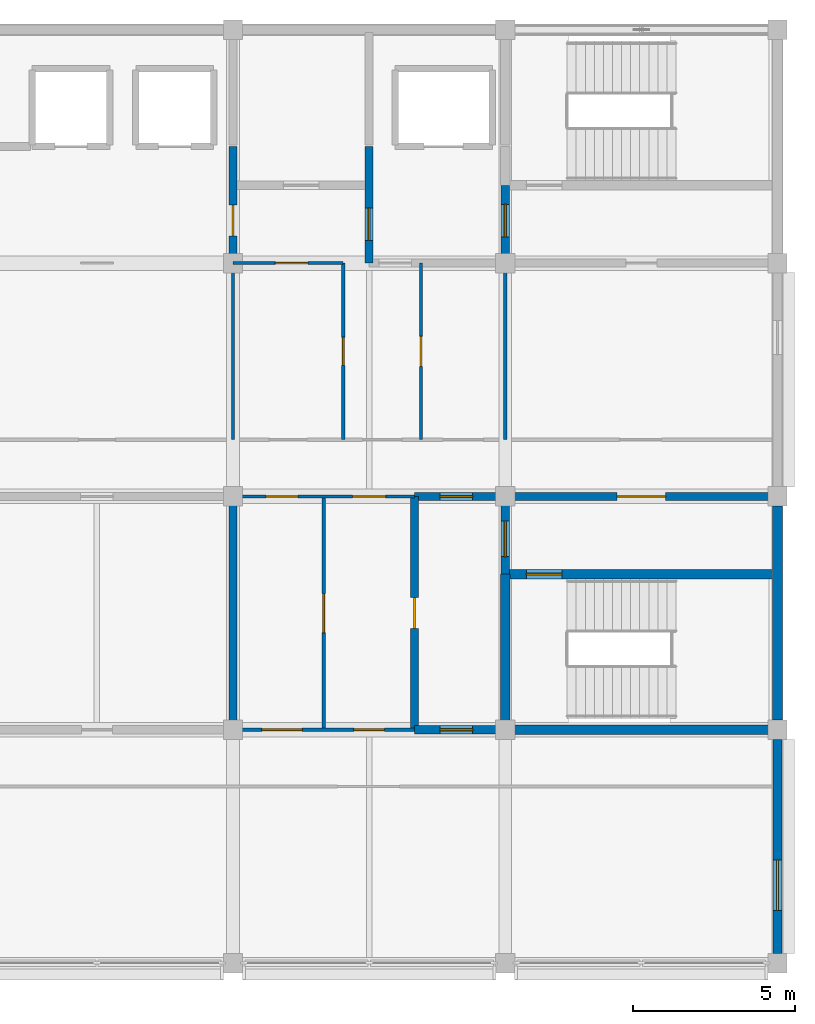
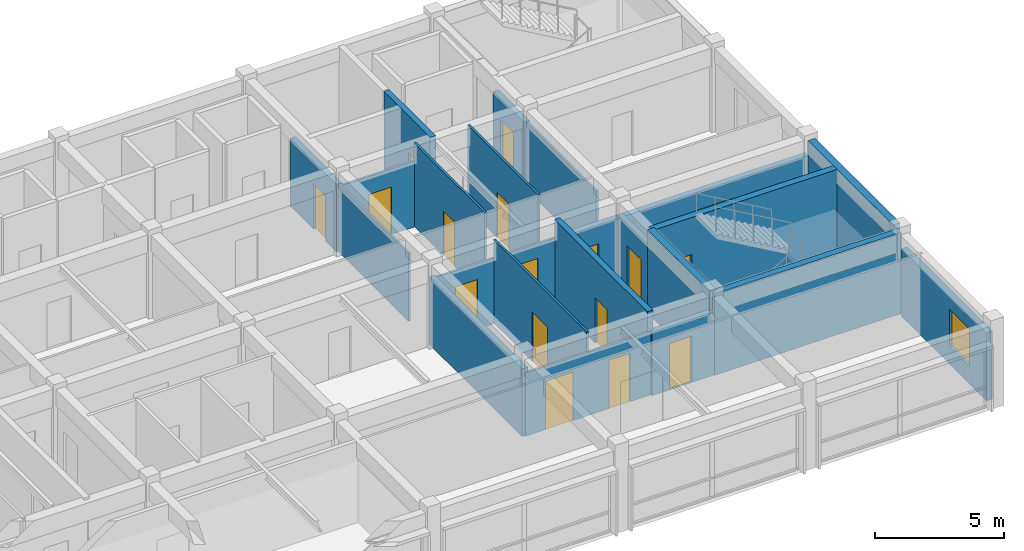
# One storey, part 11 of 13: 21 walls, 17 doors, 1 window, 18 openings.
"""IFC4 building model written with IfcOpenShell, lengths in metres."""

from ifc_helpers import new_model, si_unit, direction, frame, frame_2d, origin, place, context, subcontext, project, spatial, rectangle, extrude, material, layer, layer_set, type_object, element, fill, save


model = new_model("IFC4")

# Units and contexts
model_context = context("Model", 3, precision=1e-05, world=origin(), true_north=direction((0.0, 1.0)))
body_context = subcontext(model_context, "Body", "Model", "MODEL_VIEW")
ifc_project = project(units=[si_unit("LENGTHUNIT", "METRE"), si_unit("AREAUNIT", "SQUARE_METRE"), si_unit("VOLUMEUNIT", "CUBIC_METRE"), si_unit("PLANEANGLEUNIT", "RADIAN"), si_unit("MASSUNIT", "GRAM", prefix="KILO")], contexts=[model_context])

# Site, building, storey
site_placement = place(None, origin())
site = spatial("IfcSite", under=ifc_project, at=site_placement, CompositionType="ELEMENT")
building_placement = place(site_placement, origin())
building = spatial("IfcBuilding", under=site, at=building_placement, Name="Chengyuan Square Courthouse", CompositionType="ELEMENT")
storey_placement = place(building_placement, frame((0.0, 0.0, 64.5)))
storey = spatial("IfcBuildingStorey", under=building, at=storey_placement, Name="L15", CompositionType="ELEMENT", Elevation=64.5)

# Wall, opening, window
ifc_material_1 = material(Name="Concrete C40", Category="concrete")
ifc_layer_1 = layer(ifc_material_1, 0.280029296875)
ifc_layer_set_1 = layer_set([ifc_layer_1], Name="Concrete C40")
wall_type_1 = type_object("IfcWallType", Name="WL-EW4", PredefinedType="STANDARD", material=ifc_layer_set_1)
wall_1_placement = place(storey_placement, frame((109.199951171875, 79.4951171875, 0.0), z_axis=(0.0, 0.0, 1.0), x_axis=(0.0, 1.0, 0.0)))
wall_1 = element("IfcWall", 1, at=wall_1_placement, inside=storey, type_object=wall_type_1, Name="Exterior Wall WL-L15-E531", PredefinedType="STANDARD", context=body_context, shape_type="SweptSolid", body=[
    extrude(rectangle(XDim=6.60986328125, YDim=0.280029296875, at=frame_2d((3.304931640625, 0.0))), origin(), (0.0, 0.0, 1.0), 3.199951171875),
])
opening_1_placement = place(wall_1_placement, frame((1.330078125, 0.0, 0.85009765625)))
opening_1 = element("IfcOpeningElement", 2, at=opening_1_placement, cuts=wall_1, Name="Opening WN-244", PredefinedType="OPENING", context=body_context, shape_type="SweptSolid", body=[
    extrude(rectangle(XDim=1.550048828125, YDim=1.739990234375, at=frame_2d((0.77490234375, 0.8701171875))), frame((0.0, 0.152099609375, 0.0), z_axis=(0.0, -1.0, 0.0), x_axis=(1.0, 0.0, 0.0)), (0.0, 0.0, 1.0), 0.303955078125),
])
ifc_material_2 = material(Name="Thermally Broken Aluminium Triple Low-E Window", Category="aluminium")
window_type = type_object("IfcWindowType", Name="WT-28", PartitioningType="SINGLE_PANEL", PredefinedType="WINDOW", material=ifc_material_2)
window_placement = place(opening_1_placement, origin())
window = element("IfcWindow", 3, at=window_placement, inside=storey, type_object=window_type, Name="Facade Window WN-244", OverallHeight=1.739990234375, OverallWidth=1.550048828125, PartitioningType="SINGLE_PANEL", PredefinedType="WINDOW", context=body_context, shape_type="SweptSolid", body=[
    extrude(rectangle(XDim=1.550048828125, YDim=1.739990234375, at=frame_2d((0.77490234375, 0.8701171875))), frame((0.0, 0.030029296875, 0.0), z_axis=(0.0, -1.0, 0.0), x_axis=(1.0, 0.0, 0.0)), (0.0, 0.0, 1.0), 0.06005859375),
])
fill(opening_1, window)

# Wall, opening, door
ifc_layer_2 = layer(ifc_material_1, 0.25)
ifc_layer_set_2 = layer_set([ifc_layer_2], Name="Concrete C40")
wall_type_2 = type_object("IfcWallType", Name="WL-FW1", PredefinedType="STANDARD", material=ifc_layer_set_2)
wall_2_placement = place(storey_placement, frame((98.0, 86.39990234375, 0.0), z_axis=(0.0, 0.0, 1.0), x_axis=(1.0, 0.0, 0.0)))
wall_2 = element("IfcWall", 4, at=wall_2_placement, inside=storey, type_object=wall_type_2, Name="Interior Wall WL-L15-I4001", PredefinedType="STANDARD", context=body_context, shape_type="SweptSolid", body=[
    extrude(rectangle(XDim=2.800048828125, YDim=0.25, at=frame_2d((1.39990234375, 0.0))), origin(), (0.0, 0.0, 1.0), 3.0),
])
opening_2_placement = place(wall_2_placement, frame((0.7900390625, 0.0, 0.0)))
opening_2 = element("IfcOpeningElement", 5, at=opening_2_placement, cuts=wall_2, Name="Opening DR-3364", PredefinedType="OPENING", context=body_context, shape_type="SweptSolid", body=[
    extrude(rectangle(XDim=1.0, YDim=2.199951171875, at=frame_2d((0.5, 1.10009765625))), frame((0.0, 0.136962890625, 0.0), z_axis=(0.0, -1.0, 0.0), x_axis=(1.0, 0.0, 0.0)), (0.0, 0.0, 1.0), 0.27392578125),
])
ifc_material_3 = material(Name="Steel Q235B Fire Door", Category="steel")
door_type_1 = type_object("IfcDoorType", Name="DT-11", OperationType="NOTDEFINED", PredefinedType="DOOR", material=ifc_material_3)
door_1_placement = place(opening_2_placement, origin())
door_1 = element("IfcDoor", 6, at=door_1_placement, inside=storey, type_object=door_type_1, Name="Interior Door DR-3364", OperationType="SINGLE_SWING_LEFT", OverallHeight=2.199951171875, OverallWidth=1.0, PredefinedType="DOOR", context=body_context, shape_type="SweptSolid", body=[
    extrude(rectangle(XDim=1.0, YDim=2.199951171875, at=frame_2d((0.5, 1.10009765625))), frame((0.0, 0.02490234375, 0.0), z_axis=(0.0, -1.0, 0.0), x_axis=(1.0, 0.0, 0.0)), (0.0, 0.0, 1.0), 0.050048828125),
])
fill(opening_2, door_1)

# Wall, openings, doors
wall_3_placement = place(storey_placement, frame((98.0, 93.60009765625, 0.0), z_axis=(0.0, 0.0, 1.0), x_axis=(1.0, 0.0, 0.0)))
wall_3 = element("IfcWall", 7, at=wall_3_placement, inside=storey, type_object=wall_type_2, Name="Interior Wall WL-L15-I4012", PredefinedType="STANDARD", context=body_context, shape_type="SweptSolid", body=[
    extrude(rectangle(XDim=11.159912109375, YDim=0.25, at=frame_2d((5.580078125, 0.0))), origin(), (0.0, 0.0, 1.0), 3.10009765625),
])
opening_3_placement = place(wall_3_placement, frame((6.25, 0.0, 0.0)))
opening_3 = element("IfcOpeningElement", 8, at=opening_3_placement, cuts=wall_3, Name="Opening DR-3311", PredefinedType="OPENING", context=body_context, shape_type="SweptSolid", body=[
    extrude(rectangle(XDim=1.5, YDim=2.25, at=frame_2d((0.75, 1.125))), frame((0.0, 0.136962890625, 0.0), z_axis=(0.0, -1.0, 0.0), x_axis=(1.0, 0.0, 0.0)), (0.0, 0.0, 1.0), 0.27392578125),
])
opening_4_placement = place(wall_3_placement, frame((0.7900390625, 0.0, 0.0)))
opening_4 = element("IfcOpeningElement", 9, at=opening_4_placement, cuts=wall_3, Name="Opening DR-3349", PredefinedType="OPENING", context=body_context, shape_type="SweptSolid", body=[
    extrude(rectangle(XDim=1.0, YDim=2.199951171875, at=frame_2d((0.5, 1.10009765625))), frame((0.0, 0.136962890625, 0.0), z_axis=(0.0, -1.0, 0.0), x_axis=(1.0, 0.0, 0.0)), (0.0, 0.0, 1.0), 0.27392578125),
])
door_2_placement = place(opening_4_placement, origin())
door_2 = element("IfcDoor", 10, at=door_2_placement, inside=storey, type_object=door_type_1, Name="Interior Door DR-3349", OperationType="SINGLE_SWING_RIGHT", OverallHeight=2.199951171875, OverallWidth=1.0, PredefinedType="DOOR", context=body_context, shape_type="SweptSolid", body=[
    extrude(rectangle(XDim=1.0, YDim=2.199951171875, at=frame_2d((0.5, 1.10009765625))), frame((0.0, 0.02490234375, 0.0), z_axis=(0.0, -1.0, 0.0), x_axis=(1.0, 0.0, 0.0)), (0.0, 0.0, 1.0), 0.050048828125),
])
fill(opening_4, door_2)
ifc_material_4 = material(Name="Steel Q235B Glazed Fire Door", Category="steel")
door_type_2 = type_object("IfcDoorType", Name="DT-19", OperationType="DOUBLE_DOOR_SINGLE_SWING", PredefinedType="DOOR", material=ifc_material_4)
door_3_placement = place(opening_3_placement, frame((1.5, 0.0, 0.0), z_axis=(0.0, 0.0, 1.0), x_axis=(-1.0, 0.0, 0.0)))
door_3 = element("IfcDoor", 11, at=door_3_placement, inside=storey, type_object=door_type_2, Name="Interior Door DR-3311", OperationType="DOUBLE_DOOR_SINGLE_SWING", OverallHeight=2.25, OverallWidth=1.5, PredefinedType="DOOR", context=body_context, shape_type="SweptSolid", body=[
    extrude(rectangle(XDim=1.5, YDim=2.25, at=frame_2d((0.75, 1.125))), frame((0.0, 0.02490234375, 0.0), z_axis=(0.0, -1.0, 0.0), x_axis=(1.0, 0.0, 0.0)), (0.0, 0.0, 1.0), 0.050048828125),
])
fill(opening_3, door_3)

# Wall
wall_4_placement = place(storey_placement, frame((92.39990234375, 86.39990234375, 0.0), z_axis=(0.0, 0.0, 1.0), x_axis=(0.0, 1.0, 0.0)))
element("IfcWall", 12, at=wall_4_placement, inside=storey, type_object=wall_type_2, Name="Interior Wall WL-L15-I4067", PredefinedType="STANDARD", context=body_context, shape_type="SweptSolid", body=[
    extrude(rectangle(XDim=7.2001953125, YDim=0.25, at=frame_2d((3.60009765625, 0.0))), origin(), (0.0, 0.0, 1.0), 3.199951171875),
])

# Wall, opening, door
wall_5_placement = place(storey_placement, frame((92.39990234375, 100.800048828125, 0.0), z_axis=(0.0, 0.0, 1.0), x_axis=(0.0, 1.0, 0.0)))
wall_5 = element("IfcWall", 13, at=wall_5_placement, inside=storey, type_object=wall_type_2, Name="Interior Wall WL-L15-I4069", PredefinedType="STANDARD", context=body_context, shape_type="SweptSolid", body=[
    extrude(rectangle(XDim=3.599853515625, YDim=0.25, at=frame_2d((1.7998046875, 0.0))), origin(), (0.0, 0.0, 1.0), 3.199951171875),
])
opening_5_placement = place(wall_5_placement, frame((0.8349609375, 0.0, 0.0)))
opening_5 = element("IfcOpeningElement", 14, at=opening_5_placement, cuts=wall_5, Name="Opening DR-3320", PredefinedType="OPENING", context=body_context, shape_type="SweptSolid", body=[
    extrude(rectangle(XDim=0.949951171875, YDim=2.14990234375, at=frame_2d((0.47509765625, 1.074951171875))), frame((0.0, 0.136962890625, 0.0), z_axis=(0.0, -1.0, 0.0), x_axis=(1.0, 0.0, 0.0)), (0.0, 0.0, 1.0), 0.27392578125),
])
door_type_3 = type_object("IfcDoorType", Name="DT-12", OperationType="NOTDEFINED", PredefinedType="DOOR", material=ifc_material_3)
door_4_placement = place(opening_5_placement, origin())
door_4 = element("IfcDoor", 15, at=door_4_placement, inside=storey, type_object=door_type_3, Name="Interior Door DR-3320", OperationType="SINGLE_SWING_LEFT", OverallHeight=2.14990234375, OverallWidth=0.949951171875, PredefinedType="DOOR", context=body_context, shape_type="SweptSolid", body=[
    extrude(rectangle(XDim=0.949951171875, YDim=2.14990234375, at=frame_2d((0.47509765625, 1.074951171875))), frame((0.0, 0.02490234375, 0.0), z_axis=(0.0, -1.0, 0.0), x_axis=(1.0, 0.0, 0.0)), (0.0, 0.0, 1.0), 0.050048828125),
])
fill(opening_5, door_4)

wall_6_placement = place(storey_placement, frame((96.60009765625, 100.800048828125, 0.0), z_axis=(0.0, 0.0, 1.0), x_axis=(0.0, 1.0, 0.0)))
wall_6 = element("IfcWall", 16, at=wall_6_placement, inside=storey, type_object=wall_type_2, Name="Interior Wall WL-L15-I4073", PredefinedType="STANDARD", context=body_context, shape_type="SweptSolid", body=[
    extrude(rectangle(XDim=3.599853515625, YDim=0.25, at=frame_2d((1.7998046875, 0.0))), origin(), (0.0, 0.0, 1.0), 3.949951171875),
])
opening_6_placement = place(wall_6_placement, frame((0.699951171875, 0.0, 0.0)))
opening_6 = element("IfcOpeningElement", 17, at=opening_6_placement, cuts=wall_6, Name="Opening DR-3319", PredefinedType="OPENING", context=body_context, shape_type="SweptSolid", body=[
    extrude(rectangle(XDim=1.0, YDim=2.199951171875, at=frame_2d((0.5, 1.10009765625))), frame((0.0, 0.136962890625, 0.0), z_axis=(0.0, -1.0, 0.0), x_axis=(1.0, 0.0, 0.0)), (0.0, 0.0, 1.0), 0.27392578125),
])
door_5_placement = place(opening_6_placement, origin())
door_5 = element("IfcDoor", 18, at=door_5_placement, inside=storey, type_object=door_type_1, Name="Interior Door DR-3319", OperationType="SINGLE_SWING_RIGHT", OverallHeight=2.199951171875, OverallWidth=1.0, PredefinedType="DOOR", context=body_context, shape_type="SweptSolid", body=[
    extrude(rectangle(XDim=1.0, YDim=2.199951171875, at=frame_2d((0.5, 1.10009765625))), frame((0.0, 0.02490234375, 0.0), z_axis=(0.0, -1.0, 0.0), x_axis=(1.0, 0.0, 0.0)), (0.0, 0.0, 1.0), 0.050048828125),
])
fill(opening_6, door_5)

wall_7_placement = place(storey_placement, frame((98.0, 86.39990234375, 0.0), z_axis=(0.0, 0.0, 1.0), x_axis=(0.0, 1.0, 0.0)))
wall_7 = element("IfcWall", 19, at=wall_7_placement, inside=storey, type_object=wall_type_2, Name="Interior Wall WL-L15-I4076", PredefinedType="STANDARD", context=body_context, shape_type="SweptSolid", body=[
    extrude(rectangle(XDim=7.2001953125, YDim=0.25, at=frame_2d((3.60009765625, 0.0))), origin(), (0.0, 0.0, 1.0), 3.949951171875),
])
opening_7_placement = place(wall_7_placement, frame((3.125, 0.0, 0.0)))
opening_7 = element("IfcOpeningElement", 20, at=opening_7_placement, cuts=wall_7, Name="Opening DR-3362", PredefinedType="OPENING", context=body_context, shape_type="SweptSolid", body=[
    extrude(rectangle(XDim=0.949951171875, YDim=2.14990234375, at=frame_2d((0.47509765625, 1.074951171875))), frame((0.0, 0.136962890625, 0.0), z_axis=(0.0, -1.0, 0.0), x_axis=(1.0, 0.0, 0.0)), (0.0, 0.0, 1.0), 0.27392578125),
])
door_6_placement = place(opening_7_placement, origin())
door_6 = element("IfcDoor", 21, at=door_6_placement, inside=storey, type_object=door_type_3, Name="Interior Door DR-3362", OperationType="SINGLE_SWING_LEFT", OverallHeight=2.14990234375, OverallWidth=0.949951171875, PredefinedType="DOOR", context=body_context, shape_type="SweptSolid", body=[
    extrude(rectangle(XDim=0.949951171875, YDim=2.14990234375, at=frame_2d((0.47509765625, 1.074951171875))), frame((0.0, 0.02490234375, 0.0), z_axis=(0.0, -1.0, 0.0), x_axis=(1.0, 0.0, 0.0)), (0.0, 0.0, 1.0), 0.050048828125),
])
fill(opening_7, door_6)

wall_8_placement = place(storey_placement, frame((100.800048828125, 91.199951171875, 0.0), z_axis=(0.0, 0.0, 1.0), x_axis=(0.0, 1.0, 0.0)))
wall_8 = element("IfcWall", 22, at=wall_8_placement, inside=storey, type_object=wall_type_2, Name="Interior Wall WL-L15-I4080", PredefinedType="STANDARD", context=body_context, shape_type="SweptSolid", body=[
    extrude(rectangle(XDim=2.400146484375, YDim=0.25, at=frame_2d((1.2001953125, 0.0))), origin(), (0.0, 0.0, 1.0), 3.199951171875),
])
opening_8_placement = place(wall_8_placement, frame((0.5400390625, 0.0, 0.0)))
opening_8 = element("IfcOpeningElement", 23, at=opening_8_placement, cuts=wall_8, Name="Opening DR-3312", PredefinedType="OPENING", context=body_context, shape_type="SweptSolid", body=[
    extrude(rectangle(XDim=1.10009765625, YDim=2.199951171875, at=frame_2d((0.550048828125, 1.10009765625))), frame((0.0, 0.136962890625, 0.0), z_axis=(0.0, -1.0, 0.0), x_axis=(1.0, 0.0, 0.0)), (0.0, 0.0, 1.0), 0.27392578125),
])
door_type_4 = type_object("IfcDoorType", Name="DT-10", OperationType="NOTDEFINED", PredefinedType="DOOR", material=ifc_material_3)
door_7_placement = place(opening_8_placement, origin())
door_7 = element("IfcDoor", 24, at=door_7_placement, inside=storey, type_object=door_type_4, Name="Interior Door DR-3312", OperationType="SINGLE_SWING_LEFT", OverallHeight=2.199951171875, OverallWidth=1.10009765625, PredefinedType="DOOR", context=body_context, shape_type="SweptSolid", body=[
    extrude(rectangle(XDim=1.10009765625, YDim=2.199951171875, at=frame_2d((0.550048828125, 1.10009765625))), frame((0.0, 0.02490234375, 0.0), z_axis=(0.0, -1.0, 0.0), x_axis=(1.0, 0.0, 0.0)), (0.0, 0.0, 1.0), 0.050048828125),
])
fill(opening_8, door_7)

wall_9_placement = place(storey_placement, frame((100.800048828125, 100.800048828125, 0.0), z_axis=(0.0, 0.0, 1.0), x_axis=(0.0, 1.0, 0.0)))
wall_9 = element("IfcWall", 25, at=wall_9_placement, inside=storey, type_object=wall_type_2, Name="Interior Wall WL-L15-I4082", PredefinedType="STANDARD", context=body_context, shape_type="SweptSolid", body=[
    extrude(rectangle(XDim=2.39990234375, YDim=0.25, at=frame_2d((1.199951171875, 0.0))), origin(), (0.0, 0.0, 1.0), 3.199951171875),
])
opening_9_placement = place(wall_9_placement, frame((0.81005859375, 0.0, 0.0)))
opening_9 = element("IfcOpeningElement", 26, at=opening_9_placement, cuts=wall_9, Name="Opening DR-3307", PredefinedType="OPENING", context=body_context, shape_type="SweptSolid", body=[
    extrude(rectangle(XDim=1.0, YDim=2.199951171875, at=frame_2d((0.5, 1.10009765625))), frame((0.0, 0.136962890625, 0.0), z_axis=(0.0, -1.0, 0.0), x_axis=(1.0, 0.0, 0.0)), (0.0, 0.0, 1.0), 0.27392578125),
])
door_8_placement = place(opening_9_placement, origin())
door_8 = element("IfcDoor", 27, at=door_8_placement, inside=storey, type_object=door_type_1, Name="Interior Door DR-3307", OperationType="SINGLE_SWING_RIGHT", OverallHeight=2.199951171875, OverallWidth=1.0, PredefinedType="DOOR", context=body_context, shape_type="SweptSolid", body=[
    extrude(rectangle(XDim=1.0, YDim=2.199951171875, at=frame_2d((0.5, 1.10009765625))), frame((0.0, 0.02490234375, 0.0), z_axis=(0.0, -1.0, 0.0), x_axis=(1.0, 0.0, 0.0)), (0.0, 0.0, 1.0), 0.050048828125),
])
fill(opening_9, door_8)

# Wall, openings, doors
ifc_material_5 = material(Name="Gypsum Plasterboard Acoustic Stud Partition")
ifc_layer_3 = layer(ifc_material_5, 0.10009765625)
ifc_layer_set_3 = layer_set([ifc_layer_3], Name="Gypsum Plasterboard Acoustic Stud Partition")
wall_type_3 = type_object("IfcWallType", Name="WL-PT6", PredefinedType="STANDARD", material=ifc_layer_set_3)
wall_10_placement = place(storey_placement, frame((92.39990234375, 86.39990234375, 0.0), z_axis=(0.0, 0.0, 1.0), x_axis=(1.0, 0.0, 0.0)))
wall_10 = element("IfcWall", 28, at=wall_10_placement, inside=storey, type_object=wall_type_3, Name="Interior Wall WL-L15-I4000", PredefinedType="STANDARD", context=body_context, shape_type="SweptSolid", body=[
    extrude(rectangle(XDim=5.60009765625, YDim=0.10009765625, at=frame_2d((2.800048828125, 0.0))), origin(), (0.0, 0.0, 1.0), 3.0),
])
opening_10_placement = place(wall_10_placement, frame((0.889892578125, 0.0, 0.0)))
opening_10 = element("IfcOpeningElement", 29, at=opening_10_placement, cuts=wall_10, Name="Opening DR-3361", PredefinedType="OPENING", context=body_context, shape_type="SweptSolid", body=[
    extrude(rectangle(XDim=1.239990234375, YDim=2.300048828125, at=frame_2d((0.6201171875, 1.14990234375))), frame((0.0, 0.06201171875, 0.0), z_axis=(0.0, -1.0, 0.0), x_axis=(1.0, 0.0, 0.0)), (0.0, 0.0, 1.0), 0.1240234375),
])
opening_11_placement = place(wall_10_placement, frame((3.72998046875, 0.0, 0.0)))
opening_11 = element("IfcOpeningElement", 30, at=opening_11_placement, cuts=wall_10, Name="Opening DR-3363", PredefinedType="OPENING", context=body_context, shape_type="SweptSolid", body=[
    extrude(rectangle(XDim=0.93994140625, YDim=2.300048828125, at=frame_2d((0.469970703125, 1.14990234375))), frame((0.0, 0.06201171875, 0.0), z_axis=(0.0, -1.0, 0.0), x_axis=(1.0, 0.0, 0.0)), (0.0, 0.0, 1.0), 0.1240234375),
])
ifc_material_6 = material(Name="Acoustic Solid-Core Timber Door", Category="wood")
door_type_5 = type_object("IfcDoorType", Name="DT-37", OperationType="NOTDEFINED", PredefinedType="DOOR", material=ifc_material_6)
door_9_placement = place(opening_10_placement, origin())
door_9 = element("IfcDoor", 31, at=door_9_placement, inside=storey, type_object=door_type_5, Name="Interior Door DR-3361", OperationType="SINGLE_SWING_RIGHT", OverallHeight=2.300048828125, OverallWidth=1.239990234375, PredefinedType="DOOR", context=body_context, shape_type="SweptSolid", body=[
    extrude(rectangle(XDim=1.239990234375, YDim=2.300048828125, at=frame_2d((0.6201171875, 1.14990234375))), frame((0.0, 0.02490234375, 0.0), z_axis=(0.0, -1.0, 0.0), x_axis=(1.0, 0.0, 0.0)), (0.0, 0.0, 1.0), 0.050048828125),
])
fill(opening_10, door_9)
door_type_6 = type_object("IfcDoorType", Name="DT-39", OperationType="NOTDEFINED", PredefinedType="DOOR", material=ifc_material_6)
door_10_placement = place(opening_11_placement, origin())
door_10 = element("IfcDoor", 32, at=door_10_placement, inside=storey, type_object=door_type_6, Name="Interior Door DR-3363", OperationType="SINGLE_SWING_RIGHT", OverallHeight=2.300048828125, OverallWidth=0.93994140625, PredefinedType="DOOR", context=body_context, shape_type="SweptSolid", body=[
    extrude(rectangle(XDim=0.93994140625, YDim=2.300048828125, at=frame_2d((0.469970703125, 1.14990234375))), frame((0.0, 0.02490234375, 0.0), z_axis=(0.0, -1.0, 0.0), x_axis=(1.0, 0.0, 0.0)), (0.0, 0.0, 1.0), 0.050048828125),
])
fill(opening_11, door_10)

wall_11_placement = place(storey_placement, frame((92.39990234375, 93.60009765625, 0.0), z_axis=(0.0, 0.0, 1.0), x_axis=(1.0, 0.0, 0.0)))
wall_11 = element("IfcWall", 33, at=wall_11_placement, inside=storey, type_object=wall_type_3, Name="Interior Wall WL-L15-I4011", PredefinedType="STANDARD", context=body_context, shape_type="SweptSolid", body=[
    extrude(rectangle(XDim=5.60009765625, YDim=0.10009765625, at=frame_2d((2.800048828125, 0.0))), origin(), (0.0, 0.0, 1.0), 3.10009765625),
])
opening_12_placement = place(wall_11_placement, frame((1.02001953125, 0.0, 0.0)))
opening_12 = element("IfcOpeningElement", 34, at=opening_12_placement, cuts=wall_11, Name="Opening DR-3347", PredefinedType="OPENING", context=body_context, shape_type="SweptSolid", body=[
    extrude(rectangle(XDim=0.97998046875, YDim=2.35009765625, at=frame_2d((0.489990234375, 1.175048828125))), frame((0.0, 0.06201171875, 0.0), z_axis=(0.0, -1.0, 0.0), x_axis=(1.0, 0.0, 0.0)), (0.0, 0.0, 1.0), 0.1240234375),
])
opening_13_placement = place(wall_11_placement, frame((3.68994140625, 0.0, 0.0)))
opening_13 = element("IfcOpeningElement", 35, at=opening_13_placement, cuts=wall_11, Name="Opening DR-3348", PredefinedType="OPENING", context=body_context, shape_type="SweptSolid", body=[
    extrude(rectangle(XDim=1.02001953125, YDim=2.39990234375, at=frame_2d((0.510009765625, 1.199951171875))), frame((0.0, 0.06201171875, 0.0), z_axis=(0.0, -1.0, 0.0), x_axis=(1.0, 0.0, 0.0)), (0.0, 0.0, 1.0), 0.1240234375),
])
door_type_7 = type_object("IfcDoorType", Name="DT-40", OperationType="NOTDEFINED", PredefinedType="DOOR", material=ifc_material_6)
door_11_placement = place(opening_12_placement, origin())
door_11 = element("IfcDoor", 36, at=door_11_placement, inside=storey, type_object=door_type_7, Name="Interior Door DR-3347", OperationType="SINGLE_SWING_RIGHT", OverallHeight=2.35009765625, OverallWidth=0.97998046875, PredefinedType="DOOR", context=body_context, shape_type="SweptSolid", body=[
    extrude(rectangle(XDim=0.97998046875, YDim=2.35009765625, at=frame_2d((0.489990234375, 1.175048828125))), frame((0.0, 0.02490234375, 0.0), z_axis=(0.0, -1.0, 0.0), x_axis=(1.0, 0.0, 0.0)), (0.0, 0.0, 1.0), 0.050048828125),
])
fill(opening_12, door_11)
door_type_8 = type_object("IfcDoorType", Name="DT-41", OperationType="NOTDEFINED", PredefinedType="DOOR", material=ifc_material_6)
door_12_placement = place(opening_13_placement, origin())
door_12 = element("IfcDoor", 37, at=door_12_placement, inside=storey, type_object=door_type_8, Name="Interior Door DR-3348", OperationType="SINGLE_SWING_LEFT", OverallHeight=2.39990234375, OverallWidth=1.02001953125, PredefinedType="DOOR", context=body_context, shape_type="SweptSolid", body=[
    extrude(rectangle(XDim=1.02001953125, YDim=2.39990234375, at=frame_2d((0.510009765625, 1.199951171875))), frame((0.0, 0.02490234375, 0.0), z_axis=(0.0, -1.0, 0.0), x_axis=(1.0, 0.0, 0.0)), (0.0, 0.0, 1.0), 0.050048828125),
])
fill(opening_13, door_12)

# Wall, opening, door
wall_12_placement = place(storey_placement, frame((92.39990234375, 100.800048828125, 0.0), z_axis=(0.0, 0.0, 1.0), x_axis=(1.0, 0.0, 0.0)))
wall_12 = element("IfcWall", 38, at=wall_12_placement, inside=storey, type_object=wall_type_3, Name="Interior Wall WL-L15-I4017", PredefinedType="STANDARD", context=body_context, shape_type="SweptSolid", body=[
    extrude(rectangle(XDim=3.400146484375, YDim=0.10009765625, at=frame_2d((1.7001953125, 0.0))), origin(), (0.0, 0.0, 1.0), 3.10009765625),
])
opening_14_placement = place(wall_12_placement, frame((1.31005859375, 0.0, 0.0)))
opening_14 = element("IfcOpeningElement", 39, at=opening_14_placement, cuts=wall_12, Name="Opening DR-3321", PredefinedType="OPENING", context=body_context, shape_type="SweptSolid", body=[
    extrude(rectangle(XDim=1.0, YDim=2.25, at=frame_2d((0.5, 1.125))), frame((0.0, 0.06201171875, 0.0), z_axis=(0.0, -1.0, 0.0), x_axis=(1.0, 0.0, 0.0)), (0.0, 0.0, 1.0), 0.1240234375),
])
door_type_9 = type_object("IfcDoorType", Name="DT-31", OperationType="NOTDEFINED", PredefinedType="DOOR", material=ifc_material_6)
door_13_placement = place(opening_14_placement, origin())
door_13 = element("IfcDoor", 40, at=door_13_placement, inside=storey, type_object=door_type_9, Name="Interior Door DR-3321", OperationType="SINGLE_SWING_RIGHT", OverallHeight=2.25, OverallWidth=1.0, PredefinedType="DOOR", context=body_context, shape_type="SweptSolid", body=[
    extrude(rectangle(XDim=1.0, YDim=2.25, at=frame_2d((0.5, 1.125))), frame((0.0, 0.02490234375, 0.0), z_axis=(0.0, -1.0, 0.0), x_axis=(1.0, 0.0, 0.0)), (0.0, 0.0, 1.0), 0.050048828125),
])
fill(opening_14, door_13)

# Wall
wall_13_placement = place(storey_placement, frame((92.39990234375, 95.35009765625, 0.0), z_axis=(0.0, 0.0, 1.0), x_axis=(0.0, 1.0, 0.0)))
element("IfcWall", 41, at=wall_13_placement, inside=storey, type_object=wall_type_3, Name="Interior Wall WL-L15-I4068", PredefinedType="STANDARD", context=body_context, shape_type="SweptSolid", body=[
    extrude(rectangle(XDim=5.449951171875, YDim=0.10009765625, at=frame_2d((2.72509765625, 0.0))), origin(), (0.0, 0.0, 1.0), 3.199951171875),
])

# Wall, opening, door
wall_14_placement = place(storey_placement, frame((95.199951171875, 86.39990234375, 0.0), z_axis=(0.0, 0.0, 1.0), x_axis=(0.0, 1.0, 0.0)))
wall_14 = element("IfcWall", 42, at=wall_14_placement, inside=storey, type_object=wall_type_3, Name="Interior Wall WL-L15-I4071", PredefinedType="STANDARD", context=body_context, shape_type="SweptSolid", body=[
    extrude(rectangle(XDim=7.2001953125, YDim=0.10009765625, at=frame_2d((3.60009765625, 0.0))), origin(), (0.0, 0.0, 1.0), 3.949951171875),
])
opening_15_placement = place(wall_14_placement, frame((3.0, 0.0, 0.0)))
opening_15 = element("IfcOpeningElement", 43, at=opening_15_placement, cuts=wall_14, Name="Opening DR-3360", PredefinedType="OPENING", context=body_context, shape_type="SweptSolid", body=[
    extrude(rectangle(XDim=1.199951171875, YDim=2.35009765625, at=frame_2d((0.60009765625, 1.175048828125))), frame((0.0, 0.06201171875, 0.0), z_axis=(0.0, -1.0, 0.0), x_axis=(1.0, 0.0, 0.0)), (0.0, 0.0, 1.0), 0.1240234375),
])
door_type_10 = type_object("IfcDoorType", Name="DT-36", OperationType="NOTDEFINED", PredefinedType="DOOR", material=ifc_material_6)
door_14_placement = place(opening_15_placement, origin())
door_14 = element("IfcDoor", 44, at=door_14_placement, inside=storey, type_object=door_type_10, Name="Interior Door DR-3360", OperationType="SINGLE_SWING_LEFT", OverallHeight=2.35009765625, OverallWidth=1.199951171875, PredefinedType="DOOR", context=body_context, shape_type="SweptSolid", body=[
    extrude(rectangle(XDim=1.199951171875, YDim=2.35009765625, at=frame_2d((0.60009765625, 1.175048828125))), frame((0.0, 0.02490234375, 0.0), z_axis=(0.0, -1.0, 0.0), x_axis=(1.0, 0.0, 0.0)), (0.0, 0.0, 1.0), 0.050048828125),
])
fill(opening_15, door_14)

wall_15_placement = place(storey_placement, frame((95.800048828125, 95.35009765625, 0.0), z_axis=(0.0, 0.0, 1.0), x_axis=(0.0, 1.0, 0.0)))
wall_15 = element("IfcWall", 45, at=wall_15_placement, inside=storey, type_object=wall_type_3, Name="Interior Wall WL-L15-I4072", PredefinedType="STANDARD", context=body_context, shape_type="SweptSolid", body=[
    extrude(rectangle(XDim=5.449951171875, YDim=0.10009765625, at=frame_2d((2.72509765625, 0.0))), origin(), (0.0, 0.0, 1.0), 3.949951171875),
])
opening_16_placement = place(wall_15_placement, frame((2.294921875, 0.0, 0.0)))
opening_16 = element("IfcOpeningElement", 46, at=opening_16_placement, cuts=wall_15, Name="Opening DR-3352", PredefinedType="OPENING", context=body_context, shape_type="SweptSolid", body=[
    extrude(rectangle(XDim=0.860107421875, YDim=2.10009765625, at=frame_2d((0.43017578125, 1.050048828125))), frame((0.0, 0.06201171875, 0.0), z_axis=(0.0, -1.0, 0.0), x_axis=(1.0, 0.0, 0.0)), (0.0, 0.0, 1.0), 0.1240234375),
])
door_type_11 = type_object("IfcDoorType", Name="DT-28", OperationType="NOTDEFINED", PredefinedType="DOOR", material=ifc_material_6)
door_15_placement = place(opening_16_placement, origin())
door_15 = element("IfcDoor", 47, at=door_15_placement, inside=storey, type_object=door_type_11, Name="Interior Door DR-3352", OperationType="SINGLE_SWING_LEFT", OverallHeight=2.10009765625, OverallWidth=0.860107421875, PredefinedType="DOOR", context=body_context, shape_type="SweptSolid", body=[
    extrude(rectangle(XDim=0.860107421875, YDim=2.10009765625, at=frame_2d((0.43017578125, 1.050048828125))), frame((0.0, 0.02490234375, 0.0), z_axis=(0.0, -1.0, 0.0), x_axis=(1.0, 0.0, 0.0)), (0.0, 0.0, 1.0), 0.050048828125),
])
fill(opening_16, door_15)

wall_16_placement = place(storey_placement, frame((98.199951171875, 95.35009765625, 0.0), z_axis=(0.0, 0.0, 1.0), x_axis=(0.0, 1.0, 0.0)))
wall_16 = element("IfcWall", 48, at=wall_16_placement, inside=storey, type_object=wall_type_3, Name="Interior Wall WL-L15-I4077", PredefinedType="STANDARD", context=body_context, shape_type="SweptSolid", body=[
    extrude(rectangle(XDim=5.449951171875, YDim=0.10009765625, at=frame_2d((2.72509765625, 0.0))), origin(), (0.0, 0.0, 1.0), 3.949951171875),
])
opening_17_placement = place(wall_16_placement, frame((2.264892578125, 0.0, 0.0)))
opening_17 = element("IfcOpeningElement", 49, at=opening_17_placement, cuts=wall_16, Name="Opening DR-3353", PredefinedType="OPENING", context=body_context, shape_type="SweptSolid", body=[
    extrude(rectangle(XDim=0.919921875, YDim=2.14990234375, at=frame_2d((0.4599609375, 1.074951171875))), frame((0.0, 0.06201171875, 0.0), z_axis=(0.0, -1.0, 0.0), x_axis=(1.0, 0.0, 0.0)), (0.0, 0.0, 1.0), 0.1240234375),
])
door_type_12 = type_object("IfcDoorType", Name="DT-29", OperationType="NOTDEFINED", PredefinedType="DOOR", material=ifc_material_6)
door_16_placement = place(opening_17_placement, origin())
door_16 = element("IfcDoor", 50, at=door_16_placement, inside=storey, type_object=door_type_12, Name="Interior Door DR-3353", OperationType="SINGLE_SWING_RIGHT", OverallHeight=2.14990234375, OverallWidth=0.919921875, PredefinedType="DOOR", context=body_context, shape_type="SweptSolid", body=[
    extrude(rectangle(XDim=0.919921875, YDim=2.14990234375, at=frame_2d((0.4599609375, 1.074951171875))), frame((0.0, 0.02490234375, 0.0), z_axis=(0.0, -1.0, 0.0), x_axis=(1.0, 0.0, 0.0)), (0.0, 0.0, 1.0), 0.050048828125),
])
fill(opening_17, door_16)

# Walls
wall_17_placement = place(storey_placement, frame((100.800048828125, 95.35009765625, 0.0), z_axis=(0.0, 0.0, 1.0), x_axis=(0.0, 1.0, 0.0)))
element("IfcWall", 51, at=wall_17_placement, inside=storey, type_object=wall_type_3, Name="Interior Wall WL-L15-I4081", PredefinedType="STANDARD", context=body_context, shape_type="SweptSolid", body=[
    extrude(rectangle(XDim=5.449951171875, YDim=0.10009765625, at=frame_2d((2.72509765625, 0.0))), origin(), (0.0, 0.0, 1.0), 3.199951171875),
])
ifc_layer_4 = layer(ifc_material_1, 0.300048828125)
ifc_layer_set_4 = layer_set([ifc_layer_4], Name="Concrete C40")
wall_type_4 = type_object("IfcWallType", Name="WL-SW2", PredefinedType="SHEAR", material=ifc_layer_set_4)
wall_18_placement = place(storey_placement, frame((109.199951171875, 86.695068359375, 0.0), z_axis=(0.0, 0.0, 1.0), x_axis=(0.0, 1.0, 0.0)))
element("IfcWall", 52, at=wall_18_placement, inside=storey, type_object=wall_type_4, Name="Exterior Wall WL-L15-E532", PredefinedType="SHEAR", context=body_context, shape_type="SweptSolid", body=[
    extrude(rectangle(XDim=6.60986328125, YDim=0.300048828125, at=frame_2d((3.304931640625, 0.0))), origin(), (0.0, 0.0, 1.0), 3.949951171875),
])
wall_19_placement = place(storey_placement, frame((100.800048828125, 86.39990234375, 0.0), z_axis=(0.0, 0.0, 1.0), x_axis=(1.0, 0.0, 0.0)))
element("IfcWall", 53, at=wall_19_placement, inside=storey, type_object=wall_type_4, Name="Interior Wall WL-L15-I4002", PredefinedType="SHEAR", context=body_context, shape_type="SweptSolid", body=[
    extrude(rectangle(XDim=8.35986328125, YDim=0.300048828125, at=frame_2d((4.179931640625, 0.0))), origin(), (0.0, 0.0, 1.0), 3.85009765625),
])

# Wall, opening, door
wall_20_placement = place(storey_placement, frame((100.800048828125, 91.199951171875, 0.0), z_axis=(0.0, 0.0, 1.0), x_axis=(1.0, 0.0, 0.0)))
wall_20 = element("IfcWall", 54, at=wall_20_placement, inside=storey, type_object=wall_type_4, Name="Interior Wall WL-L15-I4005", PredefinedType="SHEAR", context=body_context, shape_type="SweptSolid", body=[
    extrude(rectangle(XDim=8.35986328125, YDim=0.300048828125, at=frame_2d((4.179931640625, 0.0))), origin(), (0.0, 0.0, 1.0), 3.949951171875),
])
opening_18_placement = place(wall_20_placement, frame((0.64990234375, 0.0, 0.0)))
opening_18 = element("IfcOpeningElement", 55, at=opening_18_placement, cuts=wall_20, Name="Opening DR-3304", PredefinedType="OPENING", context=body_context, shape_type="SweptSolid", body=[
    extrude(rectangle(XDim=1.10009765625, YDim=2.199951171875, at=frame_2d((0.550048828125, 1.10009765625))), frame((0.0, 0.162109375, 0.0), z_axis=(0.0, -1.0, 0.0), x_axis=(1.0, 0.0, 0.0)), (0.0, 0.0, 1.0), 0.323974609375),
])
door_17_placement = place(opening_18_placement, frame((1.10009765625, 0.0, 0.0), z_axis=(0.0, 0.0, 1.0), x_axis=(-1.0, 0.0, 0.0)))
door_17 = element("IfcDoor", 56, at=door_17_placement, inside=storey, type_object=door_type_4, Name="Smoke-Proof Stairwell Fire Door ST-4 DR-3304", OperationType="SINGLE_SWING_LEFT", OverallHeight=2.199951171875, OverallWidth=1.10009765625, PredefinedType="DOOR", context=body_context, shape_type="SweptSolid", body=[
    extrude(rectangle(XDim=1.10009765625, YDim=2.199951171875, at=frame_2d((0.550048828125, 1.10009765625))), frame((0.0, 0.02490234375, 0.0), z_axis=(0.0, -1.0, 0.0), x_axis=(1.0, 0.0, 0.0)), (0.0, 0.0, 1.0), 0.050048828125),
])
fill(opening_18, door_17)

# Wall
wall_21_placement = place(storey_placement, frame((100.800048828125, 86.39990234375, 0.0), z_axis=(0.0, 0.0, 1.0), x_axis=(0.0, 1.0, 0.0)))
element("IfcWall", 57, at=wall_21_placement, inside=storey, type_object=wall_type_4, Name="Interior Wall WL-L15-I4079", PredefinedType="SHEAR", context=body_context, shape_type="SweptSolid", body=[
    extrude(rectangle(XDim=4.800048828125, YDim=0.300048828125, at=frame_2d((2.39990234375, 0.0))), origin(), (0.0, 0.0, 1.0), 3.949951171875),
])

save(model, "model.ifc")
